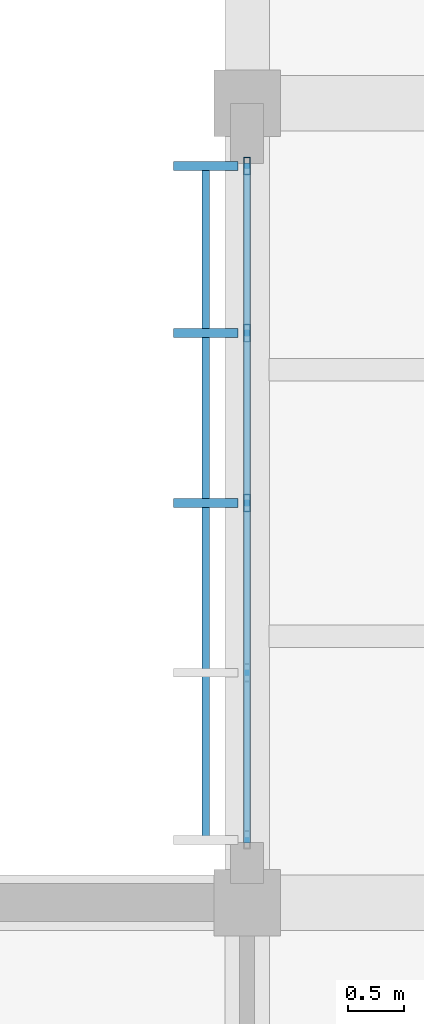
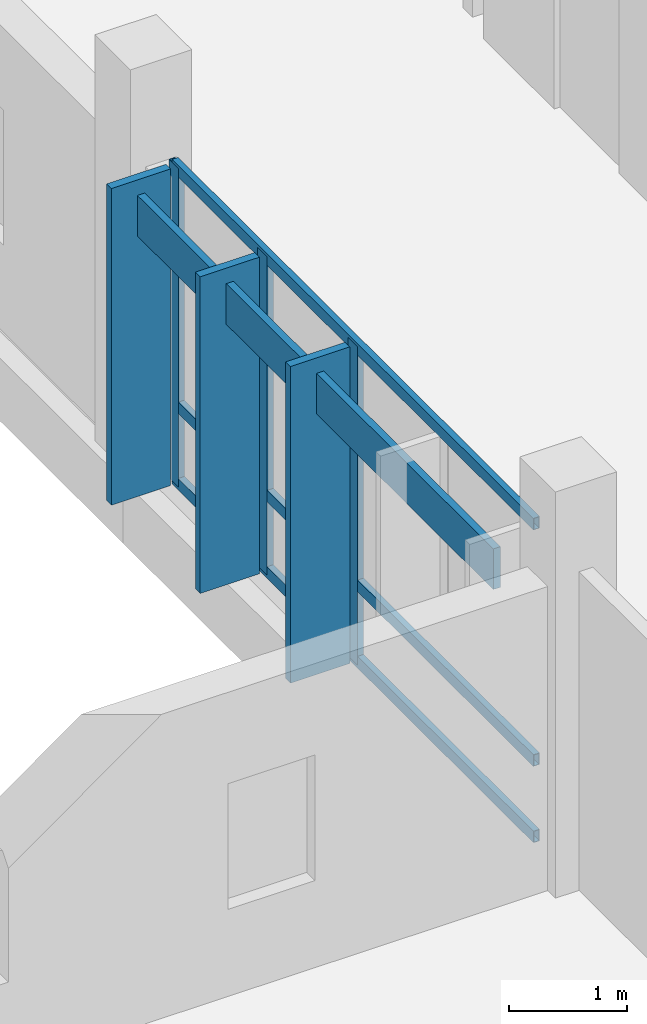
# One storey, part 53 of 107: 10 members, 1 element without a shape of its own.
"""IFC4 building model written with IfcOpenShell, lengths in metres."""

from ifc_helpers import new_model, si_unit, direction, frame, origin, origin_2d, place, context, subcontext, project, spatial, rectangle, hollow_rectangle, extrude, material, material_profile, profile_set, type_object, element, aggregate, save


model = new_model("IFC4")

# Units and contexts
model_context = context("Model", 3, precision=1e-05, world=origin(), true_north=direction((0.0, 1.0)))
body_context = subcontext(model_context, "Body", "Model", "MODEL_VIEW")
ifc_project = project(units=[si_unit("LENGTHUNIT", "METRE"), si_unit("AREAUNIT", "SQUARE_METRE"), si_unit("VOLUMEUNIT", "CUBIC_METRE"), si_unit("PLANEANGLEUNIT", "RADIAN"), si_unit("MASSUNIT", "GRAM", prefix="KILO")], contexts=[model_context])

# Site, building, storey
site_placement = place(None, origin())
site = spatial("IfcSite", under=ifc_project, at=site_placement, CompositionType="ELEMENT")
building_placement = place(site_placement, origin())
building = spatial("IfcBuilding", under=site, at=building_placement, Name="Chiffa Square Polytechnic", CompositionType="ELEMENT")
storey_placement = place(building_placement, frame((0.0, 0.0, 13.800048828125)))
storey = spatial("IfcBuildingStorey", under=building, at=storey_placement, Name="L03", CompositionType="ELEMENT", Elevation=13.800048828125)

# Curtain wall, members
ifc_material_1 = material(Name="Aluminium EN AW-6060 T66 and glulam shading", Category="wood")
curtain_wall_type = type_object("IfcCurtainWallType", Name="CW-VERT-480X380", PredefinedType="USERDEFINED", material=ifc_material_1)
curtain_wall_placement = place(storey_placement, origin())
curtain_wall = element("IfcCurtainWall", 1, at=curtain_wall_placement, inside=storey, type_object=curtain_wall_type, Name="Curtain wall CW-V1-L03-134", ObjectType="CURTAIN WALL", PredefinedType="USERDEFINED")
ifc_material_2 = material(Name="Aluminium EN AW-6060 T66", Category="aluminium")
ifc_material_profile_1 = material_profile(ifc_material_2, hollow_rectangle(XDim=0.06005859375, YDim=0.159912109375, WallThickness=0.00390625, at=origin_2d()), Name="ALU 60x160x4")
ifc_profile_set_1 = profile_set([ifc_material_profile_1], Name="Aluminium EN AW-6060 T66")
member_type_1 = type_object("IfcMemberType", Name="CWM-ALU-65X150", PredefinedType="MULLION", material=ifc_profile_set_1)
member_1_placement = place(storey_placement, frame((148.199951171875, 35.43505859375, 0.0), z_axis=(0.0, 0.0, 1.0), x_axis=(1.0, 0.0, 0.0)))
member_1 = element("IfcMember", 2, at=member_1_placement, type_object=member_type_1, Name="Curtain wall mullion CW-V1-L03-134-M00", PredefinedType="MULLION", context=body_context, shape_type="SweptSolid", body=[
    extrude(hollow_rectangle(XDim=0.06005859375, YDim=0.159912109375, WallThickness=0.00390625, at=origin_2d()), origin(), (0.0, 0.0, 1.0), 3.294921875),
])
member_2_placement = place(storey_placement, frame((148.199951171875, 33.929931640625, 0.0), z_axis=(0.0, 0.0, 1.0), x_axis=(1.0, 0.0, 0.0)))
member_2 = element("IfcMember", 3, at=member_2_placement, type_object=member_type_1, Name="Curtain wall mullion CW-V1-L03-134-M01", PredefinedType="MULLION", context=body_context, shape_type="SweptSolid", body=[
    extrude(hollow_rectangle(XDim=0.06005859375, YDim=0.159912109375, WallThickness=0.00390625, at=origin_2d()), origin(), (0.0, 0.0, 1.0), 3.294921875),
])
member_3_placement = place(storey_placement, frame((148.199951171875, 32.39990234375, 0.0), z_axis=(0.0, 0.0, 1.0), x_axis=(1.0, 0.0, 0.0)))
member_3 = element("IfcMember", 4, at=member_3_placement, type_object=member_type_1, Name="Curtain wall mullion CW-V1-L03-134-M02", PredefinedType="MULLION", context=body_context, shape_type="SweptSolid", body=[
    extrude(hollow_rectangle(XDim=0.06005859375, YDim=0.159912109375, WallThickness=0.00390625, at=origin_2d()), origin(), (0.0, 0.0, 1.0), 3.294921875),
])
ifc_material_3 = material(Name="Glulam GL28h", Category="wood")
ifc_material_profile_2 = material_profile(ifc_material_3, rectangle(XDim=0.080078125, YDim=0.580078125, at=origin_2d()), Name="GL28h 80x580")
ifc_profile_set_2 = profile_set([ifc_material_profile_2], Name="Glulam GL28h")
member_type_2 = type_object("IfcMemberType", Name="CWM-GL-80X580", PredefinedType="MULLION", material=ifc_profile_set_2)
member_4_placement = place(storey_placement, frame((147.827880859375, 35.43505859375, 0.010009765625), z_axis=(0.0, 0.0, 1.0), x_axis=(0.0, -1.0, 0.0)))
member_4 = element("IfcMember", 5, at=member_4_placement, type_object=member_type_2, Name="Exterior glulam solar fin CW-V1-L03-134-FN00", PredefinedType="MULLION", context=body_context, shape_type="SweptSolid", body=[
    extrude(rectangle(XDim=0.080078125, YDim=0.580078125, at=origin_2d()), origin(), (0.0, 0.0, 1.0), 3.27490234375),
])
member_5_placement = place(storey_placement, frame((147.827880859375, 33.929931640625, 0.010009765625), z_axis=(0.0, 0.0, 1.0), x_axis=(0.0, -1.0, 0.0)))
member_5 = element("IfcMember", 6, at=member_5_placement, type_object=member_type_2, Name="Exterior glulam solar fin CW-V1-L03-134-FN01", PredefinedType="MULLION", context=body_context, shape_type="SweptSolid", body=[
    extrude(rectangle(XDim=0.080078125, YDim=0.580078125, at=origin_2d()), origin(), (0.0, 0.0, 1.0), 3.27490234375),
])
member_6_placement = place(storey_placement, frame((147.827880859375, 32.39990234375, 0.010009765625), z_axis=(0.0, 0.0, 1.0), x_axis=(0.0, -1.0, 0.0)))
member_6 = element("IfcMember", 7, at=member_6_placement, type_object=member_type_2, Name="Exterior glulam solar fin CW-V1-L03-134-FN02", PredefinedType="MULLION", context=body_context, shape_type="SweptSolid", body=[
    extrude(rectangle(XDim=0.080078125, YDim=0.580078125, at=origin_2d()), origin(), (0.0, 0.0, 1.0), 3.27490234375),
])
ifc_material_profile_3 = material_profile(ifc_material_2, hollow_rectangle(XDim=0.06005859375, YDim=0.1201171875, WallThickness=0.00390625, at=origin_2d()), Name="ALU 60x120x4")
ifc_profile_set_3 = profile_set([ifc_material_profile_3], Name="Aluminium EN AW-6060 T66")
member_type_3 = type_object("IfcMemberType", Name="CWT-ALU-65X120", PredefinedType="USERDEFINED", material=ifc_profile_set_3)
member_7_placement = place(storey_placement, frame((148.199951171875, 35.4619140625, 0.030029296875), z_axis=(0.0, -1.0, 0.0), x_axis=(1.0, 0.0, 0.0)))
member_7 = element("IfcMember", 8, at=member_7_placement, type_object=member_type_3, Name="Curtain wall transom CW-V1-L03-134-T01", ObjectType="TRANSOM", PredefinedType="USERDEFINED", context=body_context, shape_type="SweptSolid", body=[
    extrude(hollow_rectangle(XDim=0.06005859375, YDim=0.1201171875, WallThickness=0.00390625, at=origin_2d()), origin(), (0.0, 0.0, 1.0), 6.1240234375),
])
member_8_placement = place(storey_placement, frame((148.199951171875, 35.4619140625, 0.820068359375), z_axis=(0.0, -1.0, 0.0), x_axis=(1.0, 0.0, 0.0)))
member_8 = element("IfcMember", 9, at=member_8_placement, type_object=member_type_3, Name="Curtain wall transom CW-V1-L03-134-T02", ObjectType="TRANSOM", PredefinedType="USERDEFINED", context=body_context, shape_type="SweptSolid", body=[
    extrude(hollow_rectangle(XDim=0.06005859375, YDim=0.1201171875, WallThickness=0.00390625, at=origin_2d()), origin(), (0.0, 0.0, 1.0), 6.1240234375),
])
member_9_placement = place(storey_placement, frame((148.199951171875, 35.4619140625, 3.264892578125), z_axis=(0.0, -1.0, 0.0), x_axis=(1.0, 0.0, 0.0)))
member_9 = element("IfcMember", 10, at=member_9_placement, type_object=member_type_3, Name="Curtain wall transom CW-V1-L03-134-T03", ObjectType="TRANSOM", PredefinedType="USERDEFINED", context=body_context, shape_type="SweptSolid", body=[
    extrude(hollow_rectangle(XDim=0.06005859375, YDim=0.1201171875, WallThickness=0.00390625, at=origin_2d()), origin(), (0.0, 0.0, 1.0), 6.1240234375),
])
ifc_material_profile_4 = material_profile(ifc_material_3, rectangle(XDim=0.070068359375, YDim=0.419921875, at=origin_2d()), Name="GL28h 70x420")
ifc_profile_set_4 = profile_set([ifc_material_profile_4], Name="Glulam GL28h")
member_type_4 = type_object("IfcMemberType", Name="CWT-GL-70X420", PredefinedType="USERDEFINED", material=ifc_profile_set_4)
member_10_placement = place(storey_placement, frame((147.827880859375, 35.43505859375, 2.9150390625), z_axis=(0.0, -1.0, 0.0), x_axis=(1.0, 0.0, 0.0)))
member_10 = element("IfcMember", 11, at=member_10_placement, type_object=member_type_4, Name="Exterior glulam brise-soleil CW-V1-L03-134-BS01", ObjectType="TRANSOM", PredefinedType="USERDEFINED", context=body_context, shape_type="SweptSolid", body=[
    extrude(rectangle(XDim=0.070068359375, YDim=0.419921875, at=origin_2d()), origin(), (0.0, 0.0, 1.0), 6.070068359375),
])
aggregate(curtain_wall, [member_1, member_4, member_2, member_5, member_3, member_6, member_7, member_8, member_9, member_10])

save(model, "model.ifc")
